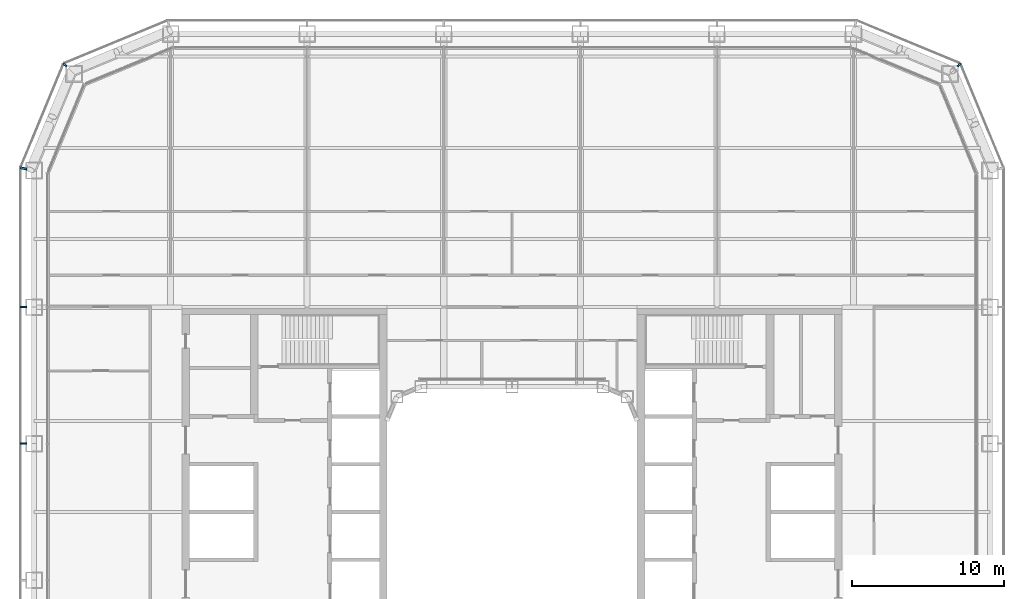
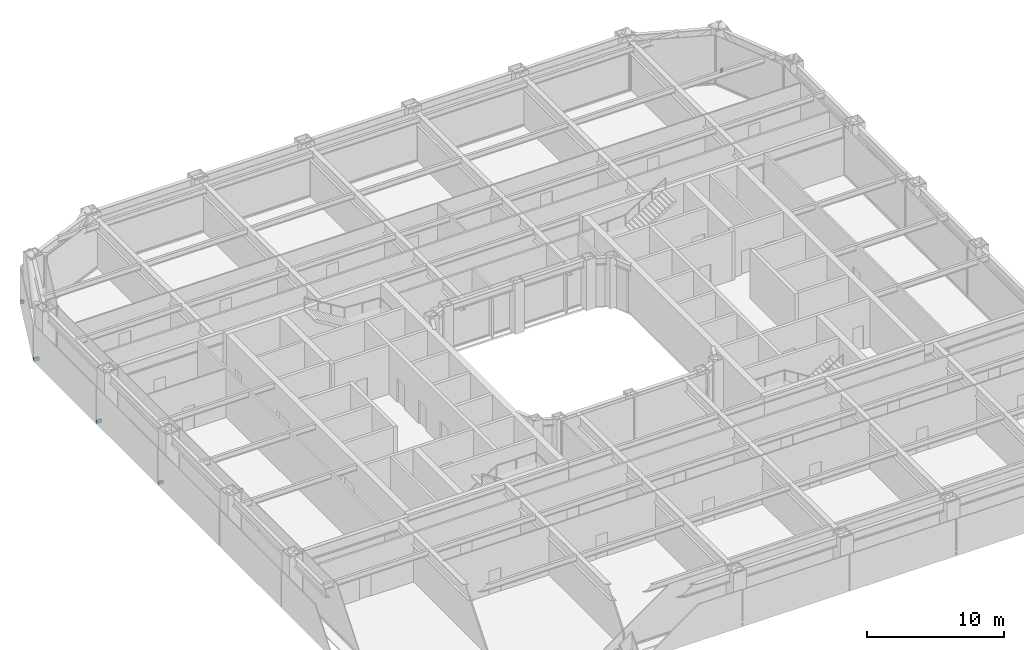
# One storey, part 17 of 24: 5 discrete accessories.
"""IFC4 building model written with IfcOpenShell, lengths in metres."""

from ifc_helpers import new_model, si_unit, direction, frame, origin, origin_2d, place, context, subcontext, project, spatial, rectangle, extrude, material, type_object, element, save


model = new_model("IFC4")

# Units and contexts
model_context = context("Model", 3, precision=1e-05, world=origin(), true_north=direction((0.0, 1.0)))
body_context = subcontext(model_context, "Body", "Model", "MODEL_VIEW")
ifc_project = project(units=[si_unit("LENGTHUNIT", "METRE"), si_unit("AREAUNIT", "SQUARE_METRE"), si_unit("VOLUMEUNIT", "CUBIC_METRE"), si_unit("PLANEANGLEUNIT", "RADIAN"), si_unit("MASSUNIT", "GRAM", prefix="KILO")], contexts=[model_context])

# Site, building, storey
site_placement = place(None, origin())
site = spatial("IfcSite", under=ifc_project, at=site_placement, CompositionType="ELEMENT")
building_placement = place(site_placement, origin())
building = spatial("IfcBuilding", under=site, at=building_placement, Name="Siwar Civic Tower", CompositionType="ELEMENT")
storey_placement = place(building_placement, frame((0.0, 0.0, 22.199951171875)))
storey = spatial("IfcBuildingStorey", under=building, at=storey_placement, Name="L04", CompositionType="ELEMENT", Elevation=22.199951171875)

# Discrete accessories
ifc_material = material(Name="Stainless steel 316", Category="steel")
discrete_accessory_type = type_object("IfcDiscreteAccessoryType", Name="ENV-BRACKET", PredefinedType="BRACKET", material=ifc_material)
for number, where, z_axis, x_axis, name in (
    (1, (29.451416015625, 29.451416015625, -0.14990234375), (0.0, 0.0, 1.0), (0.707106781187, 0.707106781187, 0.0), "Bracket outer skin joint V05"),
    (2, (-29.451416015625, 29.451416015625, -0.14990234375), (0.0, 0.0, 1.0), (-0.707106781187, 0.707106781187, 0.0), "Bracket outer skin joint V08"),
):
    element("IfcDiscreteAccessory", number, at=place(storey_placement, frame(where, z_axis=z_axis, x_axis=x_axis)), inside=storey, type_object=discrete_accessory_type, Name=name, PredefinedType="BRACKET", context=body_context, shape_type="SweptSolid", body=[
        extrude(rectangle(XDim=0.287109375, YDim=0.12939453125, at=origin_2d()), origin(), (0.0, 0.0, 1.0), 0.300048828125),
    ])
discrete_accessory_placement = place(storey_placement, frame((-32.190185546875, 22.63720703125, -0.14990234375), z_axis=(0.0, 0.0, 1.0), x_axis=(-0.980785280403, 0.195090322016, 0.0)))
element("IfcDiscreteAccessory", 3, at=discrete_accessory_placement, inside=storey, type_object=discrete_accessory_type, Name="Bracket outer skin joint V09", PredefinedType="BRACKET", context=body_context, shape_type="SweptSolid", body=[
    extrude(rectangle(XDim=0.427734375, YDim=0.13720703125, at=origin_2d()), origin(), (0.0, 0.0, 1.0), 0.300048828125),
])
for number, where, z_axis, x_axis, name in (
    (4, (-32.18994140625, 13.5, -0.14990234375), (0.0, 0.0, 1.0), (-1.0, 0.0, 0.0), "Bracket outer skin joint W-01"),
    (5, (-32.18994140625, 4.5, -0.14990234375), (0.0, 0.0, 1.0), (-1.0, 0.0, 0.0), "Bracket outer skin joint W-02"),
):
    element("IfcDiscreteAccessory", number, at=place(storey_placement, frame(where, z_axis=z_axis, x_axis=x_axis)), inside=storey, type_object=discrete_accessory_type, Name=name, PredefinedType="BRACKET", context=body_context, shape_type="SweptSolid", body=[
        extrude(rectangle(XDim=0.419921875, YDim=0.10009765625, at=origin_2d()), origin(), (0.0, 0.0, 1.0), 0.300048828125),
    ])

save(model, "model.ifc")
